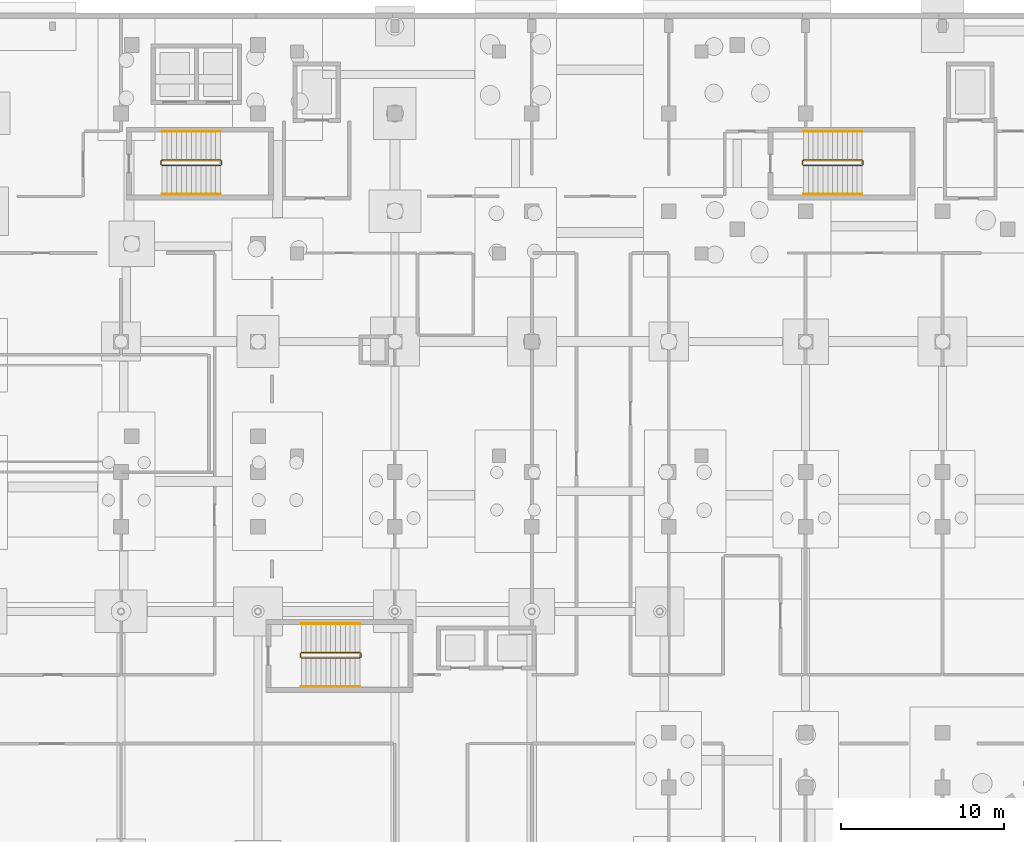
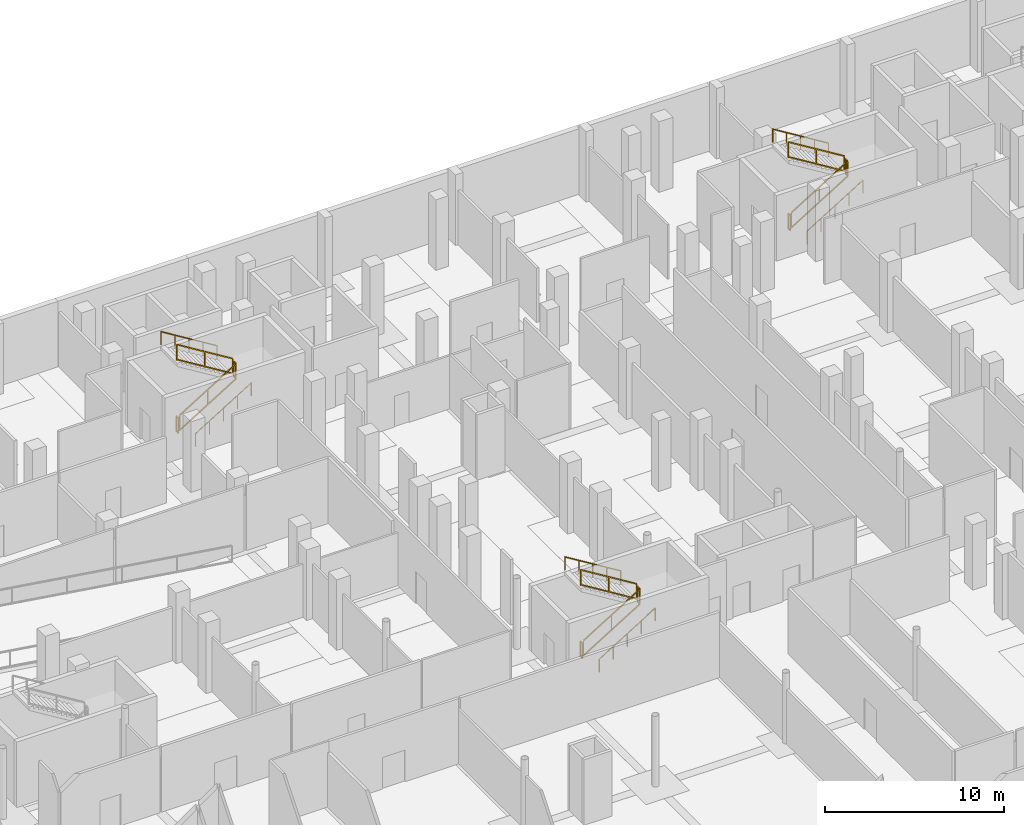
# One storey, part 43 of 45: 18 railings.
"""IFC4 building model written with IfcOpenShell, lengths in metres."""

from ifc_helpers import new_model, si_unit, direction, frame, origin, origin_2d, place, context, subcontext, project, spatial, rectangle, circle, extrude, material, type_object, element, save


model = new_model("IFC4")

# Units and contexts
model_context = context("Model", 3, precision=1e-05, world=origin(), true_north=direction((0.0, 1.0)))
body_context = subcontext(model_context, "Body", "Model", "MODEL_VIEW")
ifc_project = project(units=[si_unit("LENGTHUNIT", "METRE"), si_unit("AREAUNIT", "SQUARE_METRE"), si_unit("VOLUMEUNIT", "CUBIC_METRE"), si_unit("PLANEANGLEUNIT", "RADIAN"), si_unit("MASSUNIT", "GRAM", prefix="KILO")], contexts=[model_context])

# Site, building, storey
site_placement = place(None, origin())
site = spatial("IfcSite", under=ifc_project, at=site_placement, CompositionType="ELEMENT")
building_placement = place(site_placement, origin())
building = spatial("IfcBuilding", under=site, at=building_placement, Name="Selatvlak General Hospital", CompositionType="ELEMENT")
storey_placement = place(building_placement, frame((0.0, 0.0, -4.800048828125)))
storey = spatial("IfcBuildingStorey", under=building, at=storey_placement, Name="B1", CompositionType="ELEMENT", Elevation=-4.800048828125)

# Railings
ifc_material_1 = material(Name="Stainless steel 316 stair guard", Category="steel")
railing_type_1 = type_object("IfcRailingType", Name="RAIL-STG", PredefinedType="GUARDRAIL", material=ifc_material_1)
railing_1_placement = place(storey_placement, frame((50.510009765625, 110.81005859375, 0.1845703125)))
element("IfcRailing", 1, at=railing_1_placement, inside=storey, type_object=railing_type_1, Name="B1 ST-01 stair guard 1", PredefinedType="GUARDRAIL", context=body_context, shape_type="SweptSolid", body=[
    extrude(rectangle(XDim=0.068115234375, YDim=0.068115234375, at=origin_2d()), frame((0.00244140625, 0.0, 1.067626953125), z_axis=(0.851644435552, 0.0, 0.524119981868), x_axis=(0.0, 1.0, 0.0)), (0.0, 0.0, 1.0), 4.221435546875),
    extrude(rectangle(XDim=0.068115234375, YDim=0.068115234375, at=origin_2d()), frame((0.00244140625, 0.0, 0.050537109375), z_axis=(0.851644435552, 0.0, 0.524119981868), x_axis=(0.0, 1.0, 0.0)), (0.0, 0.0, 1.0), 4.221435546875),
    extrude(rectangle(XDim=0.055908203125, YDim=0.055908203125, at=origin_2d()), origin(), (0.0, 0.0, 1.0), 1.029052734375),
    extrude(rectangle(XDim=0.055908203125, YDim=0.055908203125, at=origin_2d()), frame((1.800048828125, 0.0, 1.10791015625)), (0.0, 0.0, 1.0), 1.029052734375),
    extrude(rectangle(XDim=0.055908203125, YDim=0.055908203125, at=origin_2d()), frame((3.60009765625, 0.0, 2.215576171875)), (0.0, 0.0, 1.0), 1.029052734375),
])
railing_2_placement = place(storey_placement, frame((54.159912109375, 110.860107421875, 2.400146484375)))
element("IfcRailing", 2, at=railing_2_placement, inside=storey, type_object=railing_type_1, Name="B1 ST-01 stair guard 2", PredefinedType="GUARDRAIL", context=body_context, shape_type="SweptSolid", body=[
    extrude(rectangle(XDim=0.068115234375, YDim=0.068115234375, at=origin_2d()), frame((0.0, 0.0029296875, 1.06591796875), z_axis=(0.0, 1.0, 0.0), x_axis=(-1.0, 0.0, 0.0)), (0.0, 0.0, 1.0), 0.214111328125),
    extrude(rectangle(XDim=0.068115234375, YDim=0.068115234375, at=origin_2d()), frame((0.0, 0.0029296875, 0.049072265625), z_axis=(0.0, 1.0, 0.0), x_axis=(-1.0, 0.0, 0.0)), (0.0, 0.0, 1.0), 0.214111328125),
    extrude(rectangle(XDim=0.055908203125, YDim=0.055908203125, at=origin_2d()), origin(), (0.0, 0.0, 1.0), 1.029052734375),
    extrude(rectangle(XDim=0.055908203125, YDim=0.055908203125, at=origin_2d()), frame((0.0, 0.219970703125, 0.0)), (0.0, 0.0, 1.0), 1.029052734375),
])
railing_3_placement = place(storey_placement, frame((54.110107421875, 111.1298828125, 2.584716796875)))
element("IfcRailing", 3, at=railing_3_placement, inside=storey, type_object=railing_type_1, Name="B1 ST-01 stair guard 3", PredefinedType="GUARDRAIL", context=body_context, shape_type="SweptSolid", body=[
    extrude(rectangle(XDim=0.068115234375, YDim=0.068115234375, at=origin_2d()), frame((-0.00244140625, 0.0, 1.067626953125), z_axis=(-0.85167021472, 0.0, 0.524078090897), x_axis=(0.0, -1.0, 0.0)), (0.0, 0.0, 1.0), 4.22119140625),
    extrude(rectangle(XDim=0.068115234375, YDim=0.068115234375, at=origin_2d()), frame((-0.00244140625, 0.0, 0.050537109375), z_axis=(-0.85167021472, 0.0, 0.524078090897), x_axis=(0.0, -1.0, 0.0)), (0.0, 0.0, 1.0), 4.22119140625),
    extrude(rectangle(XDim=0.055908203125, YDim=0.055908203125, at=origin_2d()), origin(), (0.0, 0.0, 1.0), 1.029052734375),
    extrude(rectangle(XDim=0.055908203125, YDim=0.055908203125, at=origin_2d()), frame((-1.800048828125, 0.0, 1.107666015625)), (0.0, 0.0, 1.0), 1.029052734375),
    extrude(rectangle(XDim=0.055908203125, YDim=0.055908203125, at=origin_2d()), frame((-3.60009765625, 0.0, 2.21533203125)), (0.0, 0.0, 1.0), 1.029052734375),
])
railing_4_placement = place(storey_placement, frame((50.4599609375, 110.860107421875, 0.0)))
element("IfcRailing", 4, at=railing_4_placement, inside=storey, type_object=railing_type_1, Name="B1 ST-01 stair guard 4", PredefinedType="GUARDRAIL", context=body_context, shape_type="SweptSolid", body=[
    extrude(rectangle(XDim=0.068115234375, YDim=0.068115234375, at=origin_2d()), frame((0.0, 0.0029296875, 1.06591796875), z_axis=(0.0, 1.0, 0.0), x_axis=(-1.0, 0.0, 0.0)), (0.0, 0.0, 1.0), 0.214111328125),
    extrude(rectangle(XDim=0.068115234375, YDim=0.068115234375, at=origin_2d()), frame((0.0, 0.0029296875, 0.049072265625), z_axis=(0.0, 1.0, 0.0), x_axis=(-1.0, 0.0, 0.0)), (0.0, 0.0, 1.0), 0.214111328125),
    extrude(rectangle(XDim=0.055908203125, YDim=0.055908203125, at=origin_2d()), origin(), (0.0, 0.0, 1.0), 1.029052734375),
    extrude(rectangle(XDim=0.055908203125, YDim=0.055908203125, at=origin_2d()), frame((0.0, 0.219970703125, 0.0)), (0.0, 0.0, 1.0), 1.029052734375),
])
railing_5_placement = place(storey_placement, frame((89.860107421875, 110.81005859375, 0.1845703125)))
element("IfcRailing", 5, at=railing_5_placement, inside=storey, type_object=railing_type_1, Name="B1 ST-02 stair guard 1", PredefinedType="GUARDRAIL", context=body_context, shape_type="SweptSolid", body=[
    extrude(rectangle(XDim=0.068115234375, YDim=0.068115234375, at=origin_2d()), frame((0.00244140625, 0.0, 1.067626953125), z_axis=(0.851628569182, 0.0, 0.524145762315), x_axis=(0.0, 1.0, 0.0)), (0.0, 0.0, 1.0), 4.22119140625),
    extrude(rectangle(XDim=0.068115234375, YDim=0.068115234375, at=origin_2d()), frame((0.00244140625, 0.0, 0.050537109375), z_axis=(0.851628569182, 0.0, 0.524145762315), x_axis=(0.0, 1.0, 0.0)), (0.0, 0.0, 1.0), 4.22119140625),
    extrude(rectangle(XDim=0.055908203125, YDim=0.055908203125, at=origin_2d()), origin(), (0.0, 0.0, 1.0), 1.029052734375),
    extrude(rectangle(XDim=0.055908203125, YDim=0.055908203125, at=origin_2d()), frame((1.7998046875, 0.0, 1.10791015625)), (0.0, 0.0, 1.0), 1.029052734375),
    extrude(rectangle(XDim=0.055908203125, YDim=0.055908203125, at=origin_2d()), frame((3.599853515625, 0.0, 2.215576171875)), (0.0, 0.0, 1.0), 1.029052734375),
])
railing_6_placement = place(storey_placement, frame((93.510009765625, 110.860107421875, 2.400146484375)))
element("IfcRailing", 6, at=railing_6_placement, inside=storey, type_object=railing_type_1, Name="B1 ST-02 stair guard 2", PredefinedType="GUARDRAIL", context=body_context, shape_type="SweptSolid", body=[
    extrude(rectangle(XDim=0.068115234375, YDim=0.068115234375, at=origin_2d()), frame((0.0, 0.0029296875, 1.06591796875), z_axis=(0.0, 1.0, 0.0), x_axis=(-1.0, 0.0, 0.0)), (0.0, 0.0, 1.0), 0.214111328125),
    extrude(rectangle(XDim=0.068115234375, YDim=0.068115234375, at=origin_2d()), frame((0.0, 0.0029296875, 0.049072265625), z_axis=(0.0, 1.0, 0.0), x_axis=(-1.0, 0.0, 0.0)), (0.0, 0.0, 1.0), 0.214111328125),
    extrude(rectangle(XDim=0.055908203125, YDim=0.055908203125, at=origin_2d()), origin(), (0.0, 0.0, 1.0), 1.029052734375),
    extrude(rectangle(XDim=0.055908203125, YDim=0.055908203125, at=origin_2d()), frame((0.0, 0.219970703125, 0.0)), (0.0, 0.0, 1.0), 1.029052734375),
])
railing_7_placement = place(storey_placement, frame((93.4599609375, 111.1298828125, 2.584716796875)))
element("IfcRailing", 7, at=railing_7_placement, inside=storey, type_object=railing_type_1, Name="B1 ST-02 stair guard 3", PredefinedType="GUARDRAIL", context=body_context, shape_type="SweptSolid", body=[
    extrude(rectangle(XDim=0.068115234375, YDim=0.068115234375, at=origin_2d()), frame((-0.00244140625, 0.0, 1.067626953125), z_axis=(-0.851654350407, 0.0, 0.524103870844), x_axis=(0.0, -1.0, 0.0)), (0.0, 0.0, 1.0), 4.220947265625),
    extrude(rectangle(XDim=0.068115234375, YDim=0.068115234375, at=origin_2d()), frame((-0.00244140625, 0.0, 0.050537109375), z_axis=(-0.851654350407, 0.0, 0.524103870844), x_axis=(0.0, -1.0, 0.0)), (0.0, 0.0, 1.0), 4.220947265625),
    extrude(rectangle(XDim=0.055908203125, YDim=0.055908203125, at=origin_2d()), origin(), (0.0, 0.0, 1.0), 1.029052734375),
    extrude(rectangle(XDim=0.055908203125, YDim=0.055908203125, at=origin_2d()), frame((-1.7998046875, 0.0, 1.107666015625)), (0.0, 0.0, 1.0), 1.029052734375),
    extrude(rectangle(XDim=0.055908203125, YDim=0.055908203125, at=origin_2d()), frame((-3.599853515625, 0.0, 2.21533203125)), (0.0, 0.0, 1.0), 1.029052734375),
])
railing_8_placement = place(storey_placement, frame((89.81005859375, 110.860107421875, 0.0)))
element("IfcRailing", 8, at=railing_8_placement, inside=storey, type_object=railing_type_1, Name="B1 ST-02 stair guard 4", PredefinedType="GUARDRAIL", context=body_context, shape_type="SweptSolid", body=[
    extrude(rectangle(XDim=0.068115234375, YDim=0.068115234375, at=origin_2d()), frame((0.0, 0.0029296875, 1.06591796875), z_axis=(0.0, 1.0, 0.0), x_axis=(-1.0, 0.0, 0.0)), (0.0, 0.0, 1.0), 0.214111328125),
    extrude(rectangle(XDim=0.068115234375, YDim=0.068115234375, at=origin_2d()), frame((0.0, 0.0029296875, 0.049072265625), z_axis=(0.0, 1.0, 0.0), x_axis=(-1.0, 0.0, 0.0)), (0.0, 0.0, 1.0), 0.214111328125),
    extrude(rectangle(XDim=0.055908203125, YDim=0.055908203125, at=origin_2d()), origin(), (0.0, 0.0, 1.0), 1.029052734375),
    extrude(rectangle(XDim=0.055908203125, YDim=0.055908203125, at=origin_2d()), frame((0.0, 0.219970703125, 0.0)), (0.0, 0.0, 1.0), 1.029052734375),
])
railing_9_placement = place(storey_placement, frame((59.06005859375, 80.610107421875, 0.1845703125)))
element("IfcRailing", 9, at=railing_9_placement, inside=storey, type_object=railing_type_1, Name="B1 ST-05 stair guard 1", PredefinedType="GUARDRAIL", context=body_context, shape_type="SweptSolid", body=[
    extrude(rectangle(XDim=0.068115234375, YDim=0.068115234375, at=origin_2d()), frame((0.00244140625, 0.0, 1.067626953125), z_axis=(0.851628569182, 0.0, 0.524145762315), x_axis=(0.0, 1.0, 0.0)), (0.0, 0.0, 1.0), 4.22119140625),
    extrude(rectangle(XDim=0.068115234375, YDim=0.068115234375, at=origin_2d()), frame((0.00244140625, 0.0, 0.050537109375), z_axis=(0.851628569182, 0.0, 0.524145762315), x_axis=(0.0, 1.0, 0.0)), (0.0, 0.0, 1.0), 4.22119140625),
    extrude(rectangle(XDim=0.055908203125, YDim=0.055908203125, at=origin_2d()), origin(), (0.0, 0.0, 1.0), 1.029052734375),
    extrude(rectangle(XDim=0.055908203125, YDim=0.055908203125, at=origin_2d()), frame((1.7998046875, 0.0, 1.10791015625)), (0.0, 0.0, 1.0), 1.029052734375),
    extrude(rectangle(XDim=0.055908203125, YDim=0.055908203125, at=origin_2d()), frame((3.599853515625, 0.0, 2.215576171875)), (0.0, 0.0, 1.0), 1.029052734375),
])
railing_10_placement = place(storey_placement, frame((62.7099609375, 80.659912109375, 2.400146484375)))
element("IfcRailing", 10, at=railing_10_placement, inside=storey, type_object=railing_type_1, Name="B1 ST-05 stair guard 2", PredefinedType="GUARDRAIL", context=body_context, shape_type="SweptSolid", body=[
    extrude(rectangle(XDim=0.068115234375, YDim=0.068115234375, at=origin_2d()), frame((0.0, 0.0029296875, 1.06591796875), z_axis=(0.0, 1.0, 0.0), x_axis=(-1.0, 0.0, 0.0)), (0.0, 0.0, 1.0), 0.214111328125),
    extrude(rectangle(XDim=0.068115234375, YDim=0.068115234375, at=origin_2d()), frame((0.0, 0.0029296875, 0.049072265625), z_axis=(0.0, 1.0, 0.0), x_axis=(-1.0, 0.0, 0.0)), (0.0, 0.0, 1.0), 0.214111328125),
    extrude(rectangle(XDim=0.055908203125, YDim=0.055908203125, at=origin_2d()), origin(), (0.0, 0.0, 1.0), 1.029052734375),
    extrude(rectangle(XDim=0.055908203125, YDim=0.055908203125, at=origin_2d()), frame((0.0, 0.219970703125, 0.0)), (0.0, 0.0, 1.0), 1.029052734375),
])
railing_11_placement = place(storey_placement, frame((62.659912109375, 80.929931640625, 2.584716796875)))
element("IfcRailing", 11, at=railing_11_placement, inside=storey, type_object=railing_type_1, Name="B1 ST-05 stair guard 3", PredefinedType="GUARDRAIL", context=body_context, shape_type="SweptSolid", body=[
    extrude(rectangle(XDim=0.068115234375, YDim=0.068115234375, at=origin_2d()), frame((-0.00244140625, 0.0, 1.067626953125), z_axis=(-0.851654350407, 0.0, 0.524103870844), x_axis=(0.0, -1.0, 0.0)), (0.0, 0.0, 1.0), 4.220947265625),
    extrude(rectangle(XDim=0.068115234375, YDim=0.068115234375, at=origin_2d()), frame((-0.00244140625, 0.0, 0.050537109375), z_axis=(-0.851654350407, 0.0, 0.524103870844), x_axis=(0.0, -1.0, 0.0)), (0.0, 0.0, 1.0), 4.220947265625),
    extrude(rectangle(XDim=0.055908203125, YDim=0.055908203125, at=origin_2d()), origin(), (0.0, 0.0, 1.0), 1.029052734375),
    extrude(rectangle(XDim=0.055908203125, YDim=0.055908203125, at=origin_2d()), frame((-1.7998046875, 0.0, 1.107666015625)), (0.0, 0.0, 1.0), 1.029052734375),
    extrude(rectangle(XDim=0.055908203125, YDim=0.055908203125, at=origin_2d()), frame((-3.599853515625, 0.0, 2.21533203125)), (0.0, 0.0, 1.0), 1.029052734375),
])
railing_12_placement = place(storey_placement, frame((59.010009765625, 80.659912109375, 0.0)))
element("IfcRailing", 12, at=railing_12_placement, inside=storey, type_object=railing_type_1, Name="B1 ST-05 stair guard 4", PredefinedType="GUARDRAIL", context=body_context, shape_type="SweptSolid", body=[
    extrude(rectangle(XDim=0.068115234375, YDim=0.068115234375, at=origin_2d()), frame((0.0, 0.0029296875, 1.06591796875), z_axis=(0.0, 1.0, 0.0), x_axis=(-1.0, 0.0, 0.0)), (0.0, 0.0, 1.0), 0.214111328125),
    extrude(rectangle(XDim=0.068115234375, YDim=0.068115234375, at=origin_2d()), frame((0.0, 0.0029296875, 0.049072265625), z_axis=(0.0, 1.0, 0.0), x_axis=(-1.0, 0.0, 0.0)), (0.0, 0.0, 1.0), 0.214111328125),
    extrude(rectangle(XDim=0.055908203125, YDim=0.055908203125, at=origin_2d()), origin(), (0.0, 0.0, 1.0), 1.029052734375),
    extrude(rectangle(XDim=0.055908203125, YDim=0.055908203125, at=origin_2d()), frame((0.0, 0.219970703125, 0.0)), (0.0, 0.0, 1.0), 1.029052734375),
])
ifc_material_2 = material(Name="Stainless steel 316 handrail", Category="steel")
railing_type_2 = type_object("IfcRailingType", Name="RAIL-STH", PredefinedType="HANDRAIL", material=ifc_material_2)
railing_13_placement = place(storey_placement, frame((50.510009765625, 109.050048828125, 0.1845703125)))
element("IfcRailing", 13, at=railing_13_placement, inside=storey, type_object=railing_type_2, Name="B1 ST-01 stair handrail 1", PredefinedType="HANDRAIL", context=body_context, shape_type="SweptSolid", body=[
    extrude(circle(Radius=0.02392578125, at=origin_2d()), frame((0.00244140625, 0.0, 0.87744140625), z_axis=(0.851644435552, 0.0, 0.524119981868), x_axis=(0.0, 1.0, 0.0)), (0.0, 0.0, 1.0), 4.221435546875),
    extrude(circle(Radius=0.02099609375, at=origin_2d()), origin(), (0.0, 0.0, 1.0), 0.848876953125),
    extrude(circle(Radius=0.02099609375, at=origin_2d()), frame((0.89990234375, 0.0, 0.553955078125)), (0.0, 0.0, 1.0), 0.848876953125),
    extrude(circle(Radius=0.02099609375, at=origin_2d()), frame((1.800048828125, 0.0, 1.10791015625)), (0.0, 0.0, 1.0), 0.848876953125),
    extrude(circle(Radius=0.02099609375, at=origin_2d()), frame((2.7001953125, 0.0, 1.66162109375)), (0.0, 0.0, 1.0), 0.848876953125),
    extrude(circle(Radius=0.02099609375, at=origin_2d()), frame((3.60009765625, 0.0, 2.215576171875)), (0.0, 0.0, 1.0), 0.848876953125),
])
railing_14_placement = place(storey_placement, frame((54.110107421875, 112.889892578125, 2.584716796875)))
element("IfcRailing", 14, at=railing_14_placement, inside=storey, type_object=railing_type_2, Name="B1 ST-01 stair handrail 2", PredefinedType="HANDRAIL", context=body_context, shape_type="SweptSolid", body=[
    extrude(circle(Radius=0.02392578125, at=origin_2d()), frame((-0.00244140625, 0.0, 0.87744140625), z_axis=(-0.85167021472, 0.0, 0.524078090897), x_axis=(0.0, -1.0, 0.0)), (0.0, 0.0, 1.0), 4.22119140625),
    extrude(circle(Radius=0.02099609375, at=origin_2d()), origin(), (0.0, 0.0, 1.0), 0.848876953125),
    extrude(circle(Radius=0.02099609375, at=origin_2d()), frame((-0.89990234375, 0.0, 0.5537109375)), (0.0, 0.0, 1.0), 0.848876953125),
    extrude(circle(Radius=0.02099609375, at=origin_2d()), frame((-1.800048828125, 0.0, 1.107666015625)), (0.0, 0.0, 1.0), 0.848876953125),
    extrude(circle(Radius=0.02099609375, at=origin_2d()), frame((-2.7001953125, 0.0, 1.66162109375)), (0.0, 0.0, 1.0), 0.848876953125),
    extrude(circle(Radius=0.02099609375, at=origin_2d()), frame((-3.60009765625, 0.0, 2.21533203125)), (0.0, 0.0, 1.0), 0.848876953125),
])
railing_15_placement = place(storey_placement, frame((89.860107421875, 109.050048828125, 0.1845703125)))
element("IfcRailing", 15, at=railing_15_placement, inside=storey, type_object=railing_type_2, Name="B1 ST-02 stair handrail 1", PredefinedType="HANDRAIL", context=body_context, shape_type="SweptSolid", body=[
    extrude(circle(Radius=0.02392578125, at=origin_2d()), frame((0.00244140625, 0.0, 0.87744140625), z_axis=(0.851628569182, 0.0, 0.524145762315), x_axis=(0.0, 1.0, 0.0)), (0.0, 0.0, 1.0), 4.22119140625),
    extrude(circle(Radius=0.02099609375, at=origin_2d()), origin(), (0.0, 0.0, 1.0), 0.848876953125),
    extrude(circle(Radius=0.02099609375, at=origin_2d()), frame((0.89990234375, 0.0, 0.553955078125)), (0.0, 0.0, 1.0), 0.848876953125),
    extrude(circle(Radius=0.02099609375, at=origin_2d()), frame((1.7998046875, 0.0, 1.10791015625)), (0.0, 0.0, 1.0), 0.848876953125),
    extrude(circle(Radius=0.02099609375, at=origin_2d()), frame((2.699951171875, 0.0, 1.66162109375)), (0.0, 0.0, 1.0), 0.848876953125),
    extrude(circle(Radius=0.02099609375, at=origin_2d()), frame((3.599853515625, 0.0, 2.215576171875)), (0.0, 0.0, 1.0), 0.848876953125),
])
railing_16_placement = place(storey_placement, frame((93.4599609375, 112.889892578125, 2.584716796875)))
element("IfcRailing", 16, at=railing_16_placement, inside=storey, type_object=railing_type_2, Name="B1 ST-02 stair handrail 2", PredefinedType="HANDRAIL", context=body_context, shape_type="SweptSolid", body=[
    extrude(circle(Radius=0.02392578125, at=origin_2d()), frame((-0.00244140625, 0.0, 0.87744140625), z_axis=(-0.851654350407, 0.0, 0.524103870844), x_axis=(0.0, -1.0, 0.0)), (0.0, 0.0, 1.0), 4.220947265625),
    extrude(circle(Radius=0.02099609375, at=origin_2d()), origin(), (0.0, 0.0, 1.0), 0.848876953125),
    extrude(circle(Radius=0.02099609375, at=origin_2d()), frame((-0.89990234375, 0.0, 0.5537109375)), (0.0, 0.0, 1.0), 0.848876953125),
    extrude(circle(Radius=0.02099609375, at=origin_2d()), frame((-1.7998046875, 0.0, 1.107666015625)), (0.0, 0.0, 1.0), 0.848876953125),
    extrude(circle(Radius=0.02099609375, at=origin_2d()), frame((-2.699951171875, 0.0, 1.66162109375)), (0.0, 0.0, 1.0), 0.848876953125),
    extrude(circle(Radius=0.02099609375, at=origin_2d()), frame((-3.599853515625, 0.0, 2.21533203125)), (0.0, 0.0, 1.0), 0.848876953125),
])
railing_17_placement = place(storey_placement, frame((59.06005859375, 78.85009765625, 0.1845703125)))
element("IfcRailing", 17, at=railing_17_placement, inside=storey, type_object=railing_type_2, Name="B1 ST-05 stair handrail 1", PredefinedType="HANDRAIL", context=body_context, shape_type="SweptSolid", body=[
    extrude(circle(Radius=0.02392578125, at=origin_2d()), frame((0.00244140625, 0.0, 0.87744140625), z_axis=(0.851628569182, 0.0, 0.524145762315), x_axis=(0.0, 1.0, 0.0)), (0.0, 0.0, 1.0), 4.22119140625),
    extrude(circle(Radius=0.02099609375, at=origin_2d()), origin(), (0.0, 0.0, 1.0), 0.848876953125),
    extrude(circle(Radius=0.02099609375, at=origin_2d()), frame((0.89990234375, 0.0, 0.553955078125)), (0.0, 0.0, 1.0), 0.848876953125),
    extrude(circle(Radius=0.02099609375, at=origin_2d()), frame((1.7998046875, 0.0, 1.10791015625)), (0.0, 0.0, 1.0), 0.848876953125),
    extrude(circle(Radius=0.02099609375, at=origin_2d()), frame((2.699951171875, 0.0, 1.66162109375)), (0.0, 0.0, 1.0), 0.848876953125),
    extrude(circle(Radius=0.02099609375, at=origin_2d()), frame((3.599853515625, 0.0, 2.215576171875)), (0.0, 0.0, 1.0), 0.848876953125),
])
railing_18_placement = place(storey_placement, frame((62.659912109375, 82.68994140625, 2.584716796875)))
element("IfcRailing", 18, at=railing_18_placement, inside=storey, type_object=railing_type_2, Name="B1 ST-05 stair handrail 2", PredefinedType="HANDRAIL", context=body_context, shape_type="SweptSolid", body=[
    extrude(circle(Radius=0.02392578125, at=origin_2d()), frame((-0.00244140625, 0.0, 0.87744140625), z_axis=(-0.851654350407, 0.0, 0.524103870844), x_axis=(0.0, -1.0, 0.0)), (0.0, 0.0, 1.0), 4.220947265625),
    extrude(circle(Radius=0.02099609375, at=origin_2d()), origin(), (0.0, 0.0, 1.0), 0.848876953125),
    extrude(circle(Radius=0.02099609375, at=origin_2d()), frame((-0.89990234375, 0.0, 0.5537109375)), (0.0, 0.0, 1.0), 0.848876953125),
    extrude(circle(Radius=0.02099609375, at=origin_2d()), frame((-1.7998046875, 0.0, 1.107666015625)), (0.0, 0.0, 1.0), 0.848876953125),
    extrude(circle(Radius=0.02099609375, at=origin_2d()), frame((-2.699951171875, 0.0, 1.66162109375)), (0.0, 0.0, 1.0), 0.848876953125),
    extrude(circle(Radius=0.02099609375, at=origin_2d()), frame((-3.599853515625, 0.0, 2.21533203125)), (0.0, 0.0, 1.0), 0.848876953125),
])

save(model, "model.ifc")
